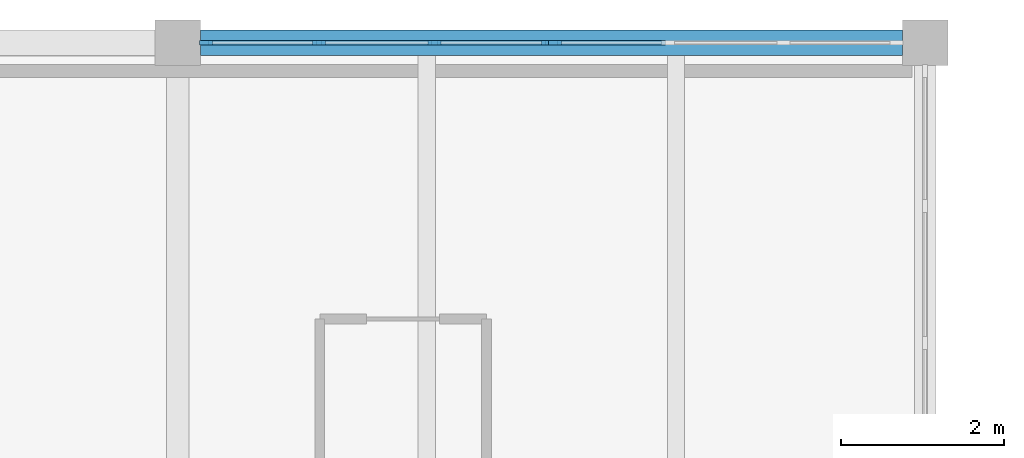
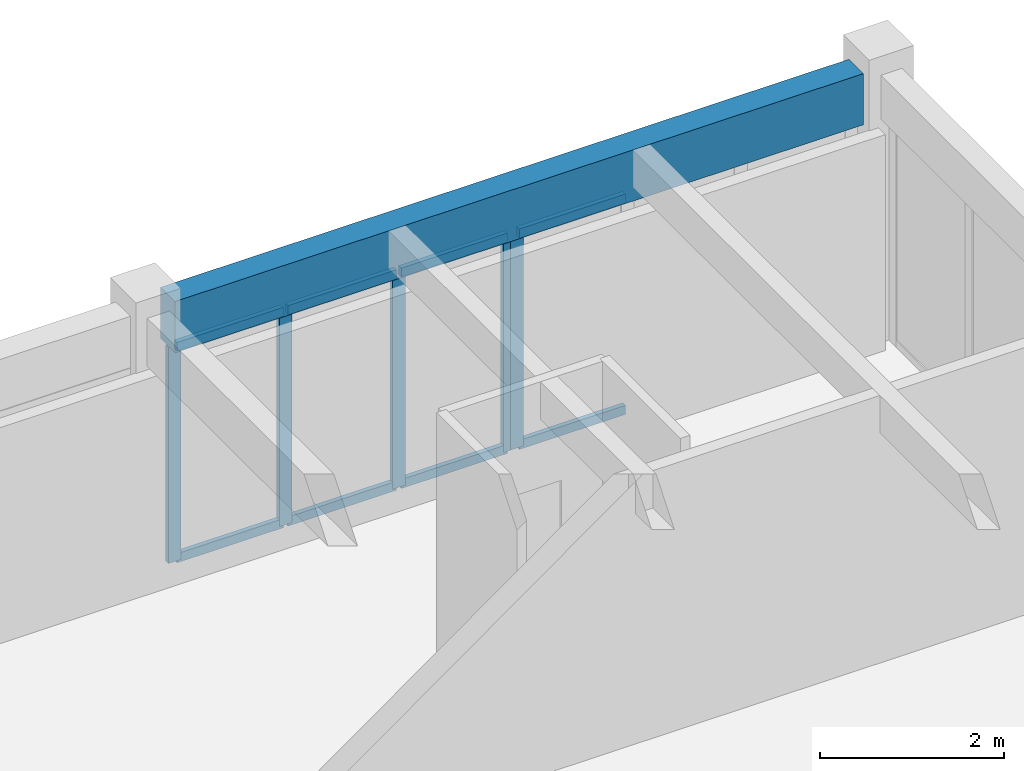
# One storey, part 5 of 31: 13 members, 1 beam, 2 elements without a shape of their own.
"""IFC4 building model written with IfcOpenShell, lengths in metres."""

from ifc_helpers import new_model, si_unit, direction, frame, origin, origin_2d, place, context, subcontext, project, spatial, rectangle, extrude, material, material_profile, profile_set, type_object, element, aggregate, save


model = new_model("IFC4")

# Units and contexts
model_context = context("Model", 3, precision=1e-05, world=origin(), true_north=direction((0.0, 1.0)))
body_context = subcontext(model_context, "Body", "Model", "MODEL_VIEW")
ifc_project = project(units=[si_unit("LENGTHUNIT", "METRE"), si_unit("AREAUNIT", "SQUARE_METRE"), si_unit("VOLUMEUNIT", "CUBIC_METRE"), si_unit("PLANEANGLEUNIT", "RADIAN"), si_unit("MASSUNIT", "GRAM", prefix="KILO")], contexts=[model_context])

# Site, building, storey
site_placement = place(None, origin())
site = spatial("IfcSite", under=ifc_project, at=site_placement, CompositionType="ELEMENT")
building_placement = place(site_placement, origin())
building = spatial("IfcBuilding", under=site, at=building_placement, Name="Veldera Park Congress Hotel", CompositionType="ELEMENT")
storey_placement = place(building_placement, frame((0.0, 0.0, 20.0)))
storey = spatial("IfcBuildingStorey", under=building, at=storey_placement, Name="L04", CompositionType="ELEMENT", Elevation=20.0)

# Beam
ifc_material_1 = material(Name="Glulam GL28h (NDS 24F-V4)", Category="wood")
ifc_material_profile_1 = material_profile(ifc_material_1, rectangle(XDim=0.31494140625, YDim=0.679931640625, at=origin_2d()), Name="GL28h 315x680")
ifc_profile_set_1 = profile_set([ifc_material_profile_1], Name="Glulam GL28h (NDS 24F-V4)")
beam_type = type_object("IfcBeamType", Name="BM-GL640E", PredefinedType="BEAM", material=ifc_profile_set_1)
beam_placement = place(storey_placement, frame((75.080078125, 58.0, 3.2099609375), z_axis=(1.0, 0.0, 0.0), x_axis=(0.0, 1.0, 0.0)))
element("IfcBeam", 1, at=beam_placement, inside=storey, type_object=beam_type, Name="L04 Girder BM-GL640E 1297", PredefinedType="BEAM", context=body_context, shape_type="SweptSolid", body=[
    extrude(rectangle(XDim=0.31494140625, YDim=0.679931640625, at=origin_2d()), origin(), (0.0, 0.0, 1.0), 8.639892578125),
])

# Curtain wall, member
ifc_material_2 = material(Name="Low-E Triple Insulating Glass Unit (SHGC 0.22)", Category="glass")
curtain_wall_type = type_object("IfcCurtainWallType", Name="CW-HTL", PredefinedType="NOTDEFINED", material=ifc_material_2)
curtain_wall_1_placement = place(storey_placement, origin())
curtain_wall_1 = element("IfcCurtainWall", 2, at=curtain_wall_1_placement, inside=storey, type_object=curtain_wall_type, Name="L04 Curtain Wall CW3-HTLNN-L04-102", PredefinedType="NOTDEFINED")
ifc_material_3 = material(Name="Anodised Aluminium Alloy 6063-T6", Category="aluminium")
ifc_material_profile_2 = material_profile(ifc_material_3, rectangle(XDim=0.06005859375, YDim=0.159912109375, at=origin_2d()), Name="ALU 60x160")
ifc_profile_set_2 = profile_set([ifc_material_profile_2], Name="Anodised Aluminium Alloy 6063-T6")
member_type_1 = type_object("IfcMemberType", Name="CWM-160", PredefinedType="MULLION", material=ifc_profile_set_2)
member_1_placement = place(storey_placement, frame((79.445068359375, 58.0, 0.0), z_axis=(0.0, 0.0, 1.0), x_axis=(0.0, -1.0, 0.0)))
member_1 = element("IfcMember", 3, at=member_1_placement, type_object=member_type_1, Name="CW-HTL mullion 4", PredefinedType="MULLION", context=body_context, shape_type="SweptSolid", body=[
    extrude(rectangle(XDim=0.06005859375, YDim=0.159912109375, at=origin_2d()), origin(), (0.0, 0.0, 1.0), 2.864990234375),
])

# Curtain wall, members
curtain_wall_2_placement = place(storey_placement, origin())
curtain_wall_2 = element("IfcCurtainWall", 4, at=curtain_wall_2_placement, inside=storey, type_object=curtain_wall_type, Name="L04 Curtain Wall CW3-HTLNN-L04-103", PredefinedType="NOTDEFINED")
member_2_placement = place(storey_placement, frame((79.35498046875, 58.0, 0.0), z_axis=(0.0, 0.0, 1.0), x_axis=(0.0, -1.0, 0.0)))
member_2 = element("IfcMember", 5, at=member_2_placement, type_object=member_type_1, Name="CW-HTL mullion 1", PredefinedType="MULLION", context=body_context, shape_type="SweptSolid", body=[
    extrude(rectangle(XDim=0.06005859375, YDim=0.159912109375, at=origin_2d()), origin(), (0.0, 0.0, 1.0), 2.864990234375),
])
member_3_placement = place(storey_placement, frame((77.96337890625, 58.0, 0.0), z_axis=(0.0, 0.0, 1.0), x_axis=(0.0, -1.0, 0.0)))
member_3 = element("IfcMember", 6, at=member_3_placement, type_object=member_type_1, Name="CW-HTL mullion 2", PredefinedType="MULLION", context=body_context, shape_type="SweptSolid", body=[
    extrude(rectangle(XDim=0.06005859375, YDim=0.159912109375, at=origin_2d()), origin(), (0.0, 0.0, 1.0), 2.864990234375),
])
member_4_placement = place(storey_placement, frame((76.541748046875, 58.0, 0.0), z_axis=(0.0, 0.0, 1.0), x_axis=(0.0, -1.0, 0.0)))
member_4 = element("IfcMember", 7, at=member_4_placement, type_object=member_type_1, Name="CW-HTL mullion 3", PredefinedType="MULLION", context=body_context, shape_type="SweptSolid", body=[
    extrude(rectangle(XDim=0.06005859375, YDim=0.159912109375, at=origin_2d()), origin(), (0.0, 0.0, 1.0), 2.864990234375),
])
member_5_placement = place(storey_placement, frame((75.14990234375, 58.0, 0.0), z_axis=(0.0, 0.0, 1.0), x_axis=(0.0, -1.0, 0.0)))
member_5 = element("IfcMember", 8, at=member_5_placement, type_object=member_type_1, Name="CW-HTL mullion 4", PredefinedType="MULLION", context=body_context, shape_type="SweptSolid", body=[
    extrude(rectangle(XDim=0.06005859375, YDim=0.159912109375, at=origin_2d()), origin(), (0.0, 0.0, 1.0), 2.864990234375),
])

# Member
ifc_material_profile_3 = material_profile(ifc_material_3, rectangle(XDim=0.06005859375, YDim=0.1201171875, at=origin_2d()), Name="ALU 60x120")
ifc_profile_set_3 = profile_set([ifc_material_profile_3], Name="Anodised Aluminium Alloy 6063-T6")
member_type_2 = type_object("IfcMemberType", Name="CWT-120", PredefinedType="USERDEFINED", material=ifc_profile_set_3)
member_6_placement = place(storey_placement, frame((80.806640625, 58.0, 0.030029296875), z_axis=(-1.0, 0.0, 0.0), x_axis=(0.0, -1.0, 0.0)))
member_6 = element("IfcMember", 9, at=member_6_placement, type_object=member_type_2, Name="CW-HTL transom 3.1", ObjectType="TRANSOM", PredefinedType="USERDEFINED", context=body_context, shape_type="SweptSolid", body=[
    extrude(rectangle(XDim=0.06005859375, YDim=0.1201171875, at=origin_2d()), origin(), (0.0, 0.0, 1.0), 1.33154296875),
])

member_7_placement = place(storey_placement, frame((80.806640625, 58.0, 2.8349609375), z_axis=(-1.0, 0.0, 0.0), x_axis=(0.0, -1.0, 0.0)))
member_7 = element("IfcMember", 10, at=member_7_placement, type_object=member_type_2, Name="CW-HTL transom 3.2", ObjectType="TRANSOM", PredefinedType="USERDEFINED", context=body_context, shape_type="SweptSolid", body=[
    extrude(rectangle(XDim=0.06005859375, YDim=0.1201171875, at=origin_2d()), origin(), (0.0, 0.0, 1.0), 1.33154296875),
])

aggregate(curtain_wall_1, [member_1, member_6, member_7])

member_8_placement = place(storey_placement, frame((79.324951171875, 58.0, 0.030029296875), z_axis=(-1.0, 0.0, 0.0), x_axis=(0.0, -1.0, 0.0)))
member_8 = element("IfcMember", 11, at=member_8_placement, type_object=member_type_2, Name="CW-HTL transom 1.1", ObjectType="TRANSOM", PredefinedType="USERDEFINED", context=body_context, shape_type="SweptSolid", body=[
    extrude(rectangle(XDim=0.06005859375, YDim=0.1201171875, at=origin_2d()), origin(), (0.0, 0.0, 1.0), 1.33154296875),
])

member_9_placement = place(storey_placement, frame((79.324951171875, 58.0, 2.8349609375), z_axis=(-1.0, 0.0, 0.0), x_axis=(0.0, -1.0, 0.0)))
member_9 = element("IfcMember", 12, at=member_9_placement, type_object=member_type_2, Name="CW-HTL transom 1.2", ObjectType="TRANSOM", PredefinedType="USERDEFINED", context=body_context, shape_type="SweptSolid", body=[
    extrude(rectangle(XDim=0.06005859375, YDim=0.1201171875, at=origin_2d()), origin(), (0.0, 0.0, 1.0), 1.33154296875),
])

member_10_placement = place(storey_placement, frame((77.933349609375, 58.0, 0.030029296875), z_axis=(-1.0, 0.0, 0.0), x_axis=(0.0, -1.0, 0.0)))
member_10 = element("IfcMember", 13, at=member_10_placement, type_object=member_type_2, Name="CW-HTL transom 2.1", ObjectType="TRANSOM", PredefinedType="USERDEFINED", context=body_context, shape_type="SweptSolid", body=[
    extrude(rectangle(XDim=0.06005859375, YDim=0.1201171875, at=origin_2d()), origin(), (0.0, 0.0, 1.0), 1.361572265625),
])

member_11_placement = place(storey_placement, frame((77.933349609375, 58.0, 2.8349609375), z_axis=(-1.0, 0.0, 0.0), x_axis=(0.0, -1.0, 0.0)))
member_11 = element("IfcMember", 14, at=member_11_placement, type_object=member_type_2, Name="CW-HTL transom 2.2", ObjectType="TRANSOM", PredefinedType="USERDEFINED", context=body_context, shape_type="SweptSolid", body=[
    extrude(rectangle(XDim=0.06005859375, YDim=0.1201171875, at=origin_2d()), origin(), (0.0, 0.0, 1.0), 1.361572265625),
])

member_12_placement = place(storey_placement, frame((76.51171875, 58.0, 0.030029296875), z_axis=(-1.0, 0.0, 0.0), x_axis=(0.0, -1.0, 0.0)))
member_12 = element("IfcMember", 15, at=member_12_placement, type_object=member_type_2, Name="CW-HTL transom 3.1", ObjectType="TRANSOM", PredefinedType="USERDEFINED", context=body_context, shape_type="SweptSolid", body=[
    extrude(rectangle(XDim=0.06005859375, YDim=0.1201171875, at=origin_2d()), origin(), (0.0, 0.0, 1.0), 1.331787109375),
])

member_13_placement = place(storey_placement, frame((76.51171875, 58.0, 2.8349609375), z_axis=(-1.0, 0.0, 0.0), x_axis=(0.0, -1.0, 0.0)))
member_13 = element("IfcMember", 16, at=member_13_placement, type_object=member_type_2, Name="CW-HTL transom 3.2", ObjectType="TRANSOM", PredefinedType="USERDEFINED", context=body_context, shape_type="SweptSolid", body=[
    extrude(rectangle(XDim=0.06005859375, YDim=0.1201171875, at=origin_2d()), origin(), (0.0, 0.0, 1.0), 1.331787109375),
])

aggregate(curtain_wall_2, [member_2, member_3, member_4, member_5, member_8, member_9, member_10, member_11, member_12, member_13])

save(model, "model.ifc")
